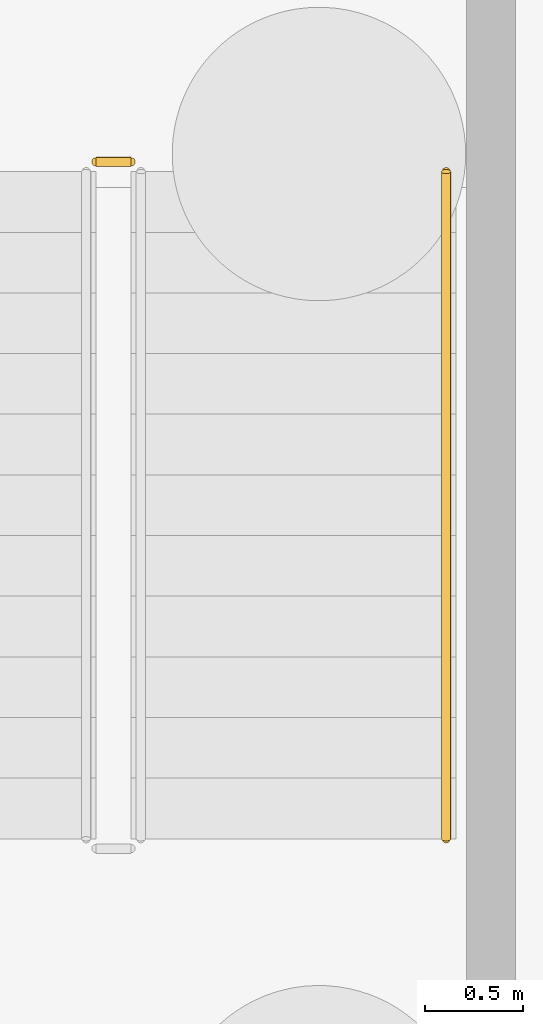
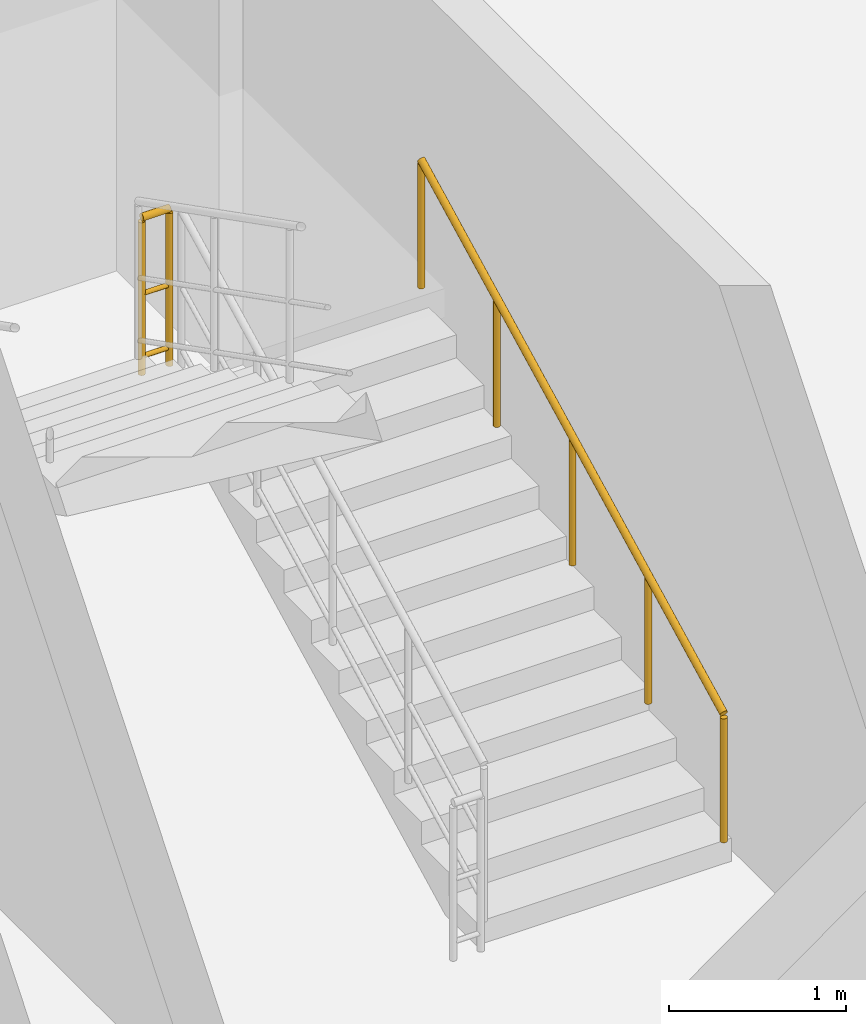
# One storey, part 5 of 6: 2 railings.
"""IFC4 building model written with IfcOpenShell, lengths in metres."""

from ifc_helpers import new_model, si_unit, direction, frame, origin, origin_2d, place, context, subcontext, project, spatial, circle, extrude, material, type_object, element, save


model = new_model("IFC4")

# Units and contexts
model_context = context("Model", 3, precision=1e-05, world=origin(), true_north=direction((0.0, 1.0)))
body_context = subcontext(model_context, "Body", "Model", "MODEL_VIEW")
ifc_project = project(units=[si_unit("LENGTHUNIT", "METRE"), si_unit("AREAUNIT", "SQUARE_METRE"), si_unit("VOLUMEUNIT", "CUBIC_METRE"), si_unit("PLANEANGLEUNIT", "RADIAN"), si_unit("MASSUNIT", "GRAM", prefix="KILO")], contexts=[model_context])

# Site, building, storey
site_placement = place(None, origin())
site = spatial("IfcSite", under=ifc_project, at=site_placement, CompositionType="ELEMENT")
building_placement = place(site_placement, origin())
building = spatial("IfcBuilding", under=site, at=building_placement, Name="Catumbela Crestline Tower", CompositionType="ELEMENT")
storey_placement = place(building_placement, frame((0.0, 0.0, -13.2)))
storey = spatial("IfcBuildingStorey", under=building, at=storey_placement, Name="B03", CompositionType="ELEMENT", Elevation=-13.2)

# Railings
ifc_material = material(Name="Stainless steel EN 1.4401", Category="steel")
railing_type_1 = type_object("IfcRailingType", Name="RG-1100", PredefinedType="GUARDRAIL", material=ifc_material)
railing_1_placement = place(storey_placement, frame((43.04, 36.46, 1.9)))
element("IfcRailing", 1, at=railing_1_placement, inside=storey, type_object=railing_type_1, Name="B03 ST-04 stair guard 2", PredefinedType="GUARDRAIL", context=body_context, shape_type="SweptSolid", body=[
    extrude(circle(Radius=0.024, at=origin_2d()), frame((0.0, 0.0, 1.076), z_axis=(-1.0, 0.0, 0.0), x_axis=(0.0, -1.0, 0.0)), (0.0, 0.0, 1.0), 0.18),
    extrude(circle(Radius=0.0156, at=origin_2d()), frame((0.0, 0.0, 0.55), z_axis=(-1.0, 0.0, 0.0), x_axis=(0.0, -1.0, 0.0)), (0.0, 0.0, 1.0), 0.18),
    extrude(circle(Radius=0.0156, at=origin_2d()), frame((0.0, 0.0, 0.12), z_axis=(-1.0, 0.0, 0.0), x_axis=(0.0, -1.0, 0.0)), (0.0, 0.0, 1.0), 0.18),
    extrude(circle(Radius=0.021, at=origin_2d()), origin(), (0.0, 0.0, 1.0), 1.052),
    extrude(circle(Radius=0.021, at=origin_2d()), frame((-0.18, 0.0, 0.0)), (0.0, 0.0, 1.0), 1.052),
])
railing_type_2 = type_object("IfcRailingType", Name="RH-0900", PredefinedType="HANDRAIL", material=ifc_material)
railing_2_placement = place(storey_placement, frame((44.65, 33.0, 0.1583)))
element("IfcRailing", 2, at=railing_2_placement, inside=storey, type_object=railing_type_2, Name="B03 ST-04 stair handrail 1", PredefinedType="HANDRAIL", context=body_context, shape_type="SweptSolid", body=[
    extrude(circle(Radius=0.024, at=origin_2d()), frame((0.0, 0.0, 0.876), z_axis=(0.0, 0.890560473983, 0.454864861447), x_axis=(-1.0, 0.0, 0.0)), (0.0, 0.0, 1.0), 3.829),
    extrude(circle(Radius=0.021, at=origin_2d()), origin(), (0.0, 0.0, 1.0), 0.852),
    extrude(circle(Radius=0.021, at=origin_2d()), frame((0.0, 0.8525, 0.4354)), (0.0, 0.0, 1.0), 0.852),
    extrude(circle(Radius=0.021, at=origin_2d()), frame((0.0, 1.705, 0.8708)), (0.0, 0.0, 1.0), 0.852),
    extrude(circle(Radius=0.021, at=origin_2d()), frame((0.0, 2.5575, 1.3063)), (0.0, 0.0, 1.0), 0.852),
    extrude(circle(Radius=0.021, at=origin_2d()), frame((0.0, 3.41, 1.7417)), (0.0, 0.0, 1.0), 0.852),
])

save(model, "model.ifc")
